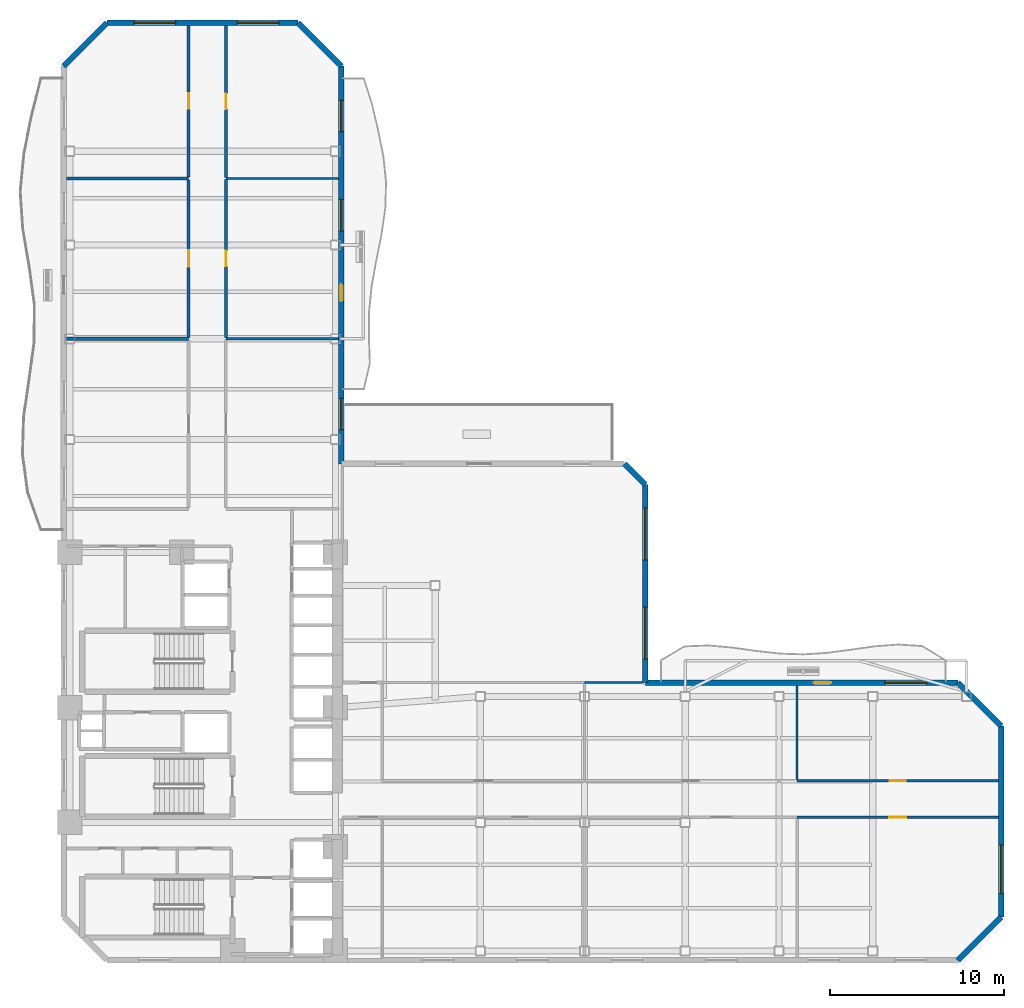
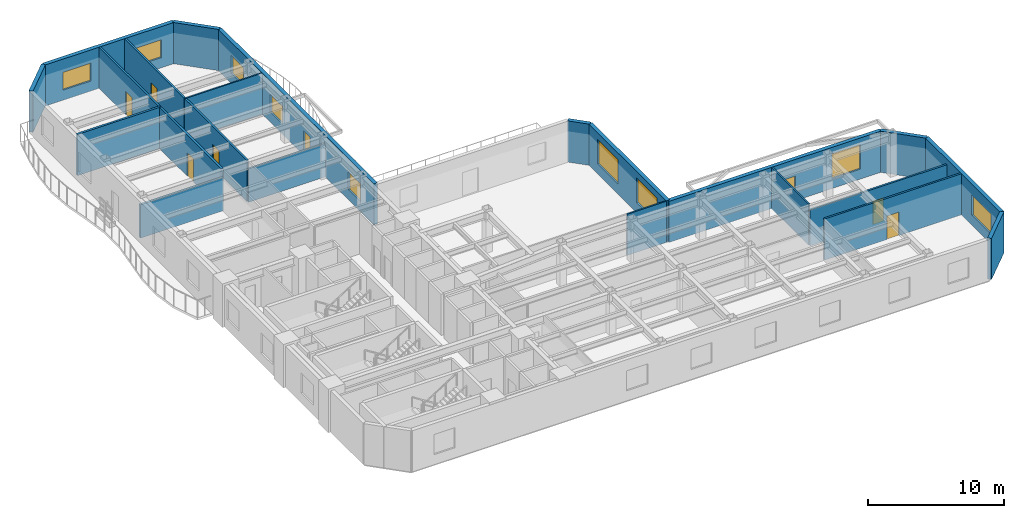
# One storey, part 6 of 10: 22 walls, 9 windows, 8 doors, 17 openings.
"""IFC4 building model written with IfcOpenShell, lengths in metres."""

from ifc_helpers import new_model, si_unit, direction, frame, frame_2d, origin, place, context, subcontext, project, spatial, rectangle, extrude, material, layer, layer_set, type_object, element, fill, save


model = new_model("IFC4")

# Units and contexts
model_context = context("Model", 3, precision=1e-05, world=origin(), true_north=direction((0.0, 1.0)))
body_context = subcontext(model_context, "Body", "Model", "MODEL_VIEW")
ifc_project = project(units=[si_unit("LENGTHUNIT", "METRE"), si_unit("AREAUNIT", "SQUARE_METRE"), si_unit("VOLUMEUNIT", "CUBIC_METRE"), si_unit("PLANEANGLEUNIT", "RADIAN"), si_unit("MASSUNIT", "GRAM", prefix="KILO")], contexts=[model_context])

# Site, building, storey
site_placement = place(None, origin())
site = spatial("IfcSite", under=ifc_project, at=site_placement, CompositionType="ELEMENT")
building_placement = place(site_placement, origin())
building = spatial("IfcBuilding", under=site, at=building_placement, Name="Mawjaban Terraces University", CompositionType="ELEMENT")
storey_placement = place(building_placement, frame((0.0, 0.0, 31.0)))
storey = spatial("IfcBuildingStorey", under=building, at=storey_placement, Name="L06", CompositionType="ELEMENT", Elevation=31.0)

# Walls
ifc_material_1 = material(Name="Acoustic masonry blockwork", Category="masonry")
ifc_layer_1 = layer(ifc_material_1, 0.179931640625)
ifc_layer_set_1 = layer_set([ifc_layer_1], Name="Acoustic masonry blockwork")
wall_type_1 = type_object("IfcWallType", Name="AcousticStudioWall_180", PredefinedType="PARTITIONING", material=ifc_layer_set_1)
wall_1_placement = place(storey_placement, frame((29.199951171875, 35.800048828125, 0.0), z_axis=(0.0, 0.0, 1.0), x_axis=(-1.0, 0.0, 0.0)))
element("IfcWall", 1, at=wall_1_placement, inside=storey, type_object=wall_type_1, Name="L06 Classroom 8 Partition 10", PredefinedType="PARTITIONING", context=body_context, shape_type="SweptSolid", body=[
    extrude(rectangle(XDim=7.044921875, YDim=0.179931640625, at=frame_2d((3.5224609375, 0.0))), origin(), (0.0, 0.0, 1.0), 2.9951171875),
])
wall_2_placement = place(storey_placement, frame((29.199951171875, 45.0400390625, 0.0), z_axis=(0.0, 0.0, 1.0), x_axis=(-1.0, 0.0, 0.0)))
element("IfcWall", 2, at=wall_2_placement, inside=storey, type_object=wall_type_1, Name="L06 Design Studio 10 Partition 11", PredefinedType="PARTITIONING", context=body_context, shape_type="SweptSolid", body=[
    extrude(rectangle(XDim=7.044921875, YDim=0.179931640625, at=frame_2d((3.5224609375, 0.0))), origin(), (0.0, 0.0, 1.0), 3.68994140625),
])

# Wall, opening, door
wall_3_placement = place(storey_placement, frame((29.199951171875, 44.955078125, 0.0), z_axis=(0.0, 0.0, 1.0), x_axis=(0.0, -1.0, 0.0)))
wall_3 = element("IfcWall", 3, at=wall_3_placement, inside=storey, type_object=wall_type_1, Name="L06 North Academic Spine Corridor Partition 34", PredefinedType="PARTITIONING", context=body_context, shape_type="SweptSolid", body=[
    extrude(rectangle(XDim=9.070068359375, YDim=0.179931640625, at=frame_2d((4.53515625, 0.0))), origin(), (0.0, 0.0, 1.0), 3.68994140625),
])
opening_1_placement = place(wall_3_placement, frame((4.06005859375, 0.0, 0.0)))
opening_1 = element("IfcOpeningElement", 4, at=opening_1_placement, cuts=wall_3, Name="Opening ID-095", PredefinedType="OPENING", context=body_context, shape_type="SweptSolid", body=[
    extrude(rectangle(XDim=0.949951171875, YDim=2.10009765625, at=frame_2d((0.47509765625, 1.050048828125))), frame((0.0, 0.099853515625, 0.0), z_axis=(0.0, -1.0, 0.0), x_axis=(1.0, 0.0, 0.0)), (0.0, 0.0, 1.0), 0.199951171875),
])
ifc_material_2 = material(Name="Powder-coated steel frame and solid acoustic timber leaf", Category="steel")
door_type_1 = type_object("IfcDoorType", Name="StudioDoor_950x2100", OperationType="NOTDEFINED", PredefinedType="DOOR", material=ifc_material_2)
door_1_placement = place(opening_1_placement, origin())
door_1 = element("IfcDoor", 5, at=door_1_placement, inside=storey, type_object=door_type_1, Name="L06 Design Studio 10 Door", OperationType="SINGLE_SWING_LEFT", OverallHeight=2.10009765625, OverallWidth=0.949951171875, PredefinedType="DOOR", context=body_context, shape_type="SweptSolid", body=[
    extrude(rectangle(XDim=0.949951171875, YDim=2.10009765625, at=frame_2d((0.47509765625, 1.050048828125))), frame((0.0, 0.02490234375, 0.0), z_axis=(0.0, -1.0, 0.0), x_axis=(1.0, 0.0, 0.0)), (0.0, 0.0, 1.0), 0.050048828125),
])
fill(opening_1, door_1)

ifc_material_3 = material(Name="Fire-rated gypsum board on steel stud", Category="steel")
ifc_layer_2 = layer(ifc_material_3, 0.159912109375)
ifc_layer_set_2 = layer_set([ifc_layer_2], Name="Fire-rated gypsum board on steel stud")
wall_type_2 = type_object("IfcWallType", Name="CorridorPartition_160", PredefinedType="PARTITIONING", material=ifc_layer_set_2)
wall_4_placement = place(storey_placement, frame((64.239990234375, 8.25, 0.0), z_axis=(0.0, 0.0, 1.0), x_axis=(1.0, 0.0, 0.0)))
wall_4 = element("IfcWall", 6, at=wall_4_placement, inside=storey, type_object=wall_type_2, Name="L06 East Academic Spine Corridor Partition 25", PredefinedType="PARTITIONING", context=body_context, shape_type="SweptSolid", body=[
    extrude(rectangle(XDim=11.60498046875, YDim=0.159912109375, at=frame_2d((5.802490234375, 0.0))), origin(), (0.0, 0.0, 1.0), 3.68994140625),
])
opening_2_placement = place(wall_4_placement, frame((5.302978515625, 0.0, 0.0)))
opening_2 = element("IfcOpeningElement", 7, at=opening_2_placement, cuts=wall_4, Name="Opening ID-100", PredefinedType="OPENING", context=body_context, shape_type="SweptSolid", body=[
    extrude(rectangle(XDim=1.0, YDim=2.10009765625, at=frame_2d((0.5, 1.050048828125))), frame((0.0, 0.08984375, 0.0), z_axis=(0.0, -1.0, 0.0), x_axis=(1.0, 0.0, 0.0)), (0.0, 0.0, 1.0), 0.179931640625),
])
door_type_2 = type_object("IfcDoorType", Name="ClassroomDoor_1000x2100", OperationType="NOTDEFINED", PredefinedType="DOOR", material=ifc_material_2)
door_2_placement = place(opening_2_placement, origin())
door_2 = element("IfcDoor", 8, at=door_2_placement, inside=storey, type_object=door_type_2, Name="L06 Classroom 6 Door", OperationType="SINGLE_SWING_LEFT", OverallHeight=2.10009765625, OverallWidth=1.0, PredefinedType="DOOR", context=body_context, shape_type="SweptSolid", body=[
    extrude(rectangle(XDim=1.0, YDim=2.10009765625, at=frame_2d((0.5, 1.050048828125))), frame((0.0, 0.02490234375, 0.0), z_axis=(0.0, -1.0, 0.0), x_axis=(1.0, 0.0, 0.0)), (0.0, 0.0, 1.0), 0.050048828125),
])
fill(opening_2, door_2)

wall_5_placement = place(storey_placement, frame((75.844970703125, 10.35009765625, 0.0), z_axis=(0.0, 0.0, 1.0), x_axis=(-1.0, 0.0, 0.0)))
wall_5 = element("IfcWall", 9, at=wall_5_placement, inside=storey, type_object=wall_type_2, Name="L06 East Academic Spine Corridor Partition 27", PredefinedType="PARTITIONING", context=body_context, shape_type="SweptSolid", body=[
    extrude(rectangle(XDim=11.60498046875, YDim=0.159912109375, at=frame_2d((5.802490234375, 0.0))), origin(), (0.0, 0.0, 1.0), 3.22705078125),
])
opening_3_placement = place(wall_5_placement, frame((5.35302734375, 0.0, 0.0)))
opening_3 = element("IfcOpeningElement", 10, at=opening_3_placement, cuts=wall_5, Name="Opening ID-090", PredefinedType="OPENING", context=body_context, shape_type="SweptSolid", body=[
    extrude(rectangle(XDim=0.89990234375, YDim=2.10009765625, at=frame_2d((0.449951171875, 1.050048828125))), frame((0.0, 0.08984375, 0.0), z_axis=(0.0, -1.0, 0.0), x_axis=(1.0, 0.0, 0.0)), (0.0, 0.0, 1.0), 0.179931640625),
])
door_type_3 = type_object("IfcDoorType", Name="OfficeDoor_900x2100", OperationType="NOTDEFINED", PredefinedType="DOOR", material=ifc_material_2)
door_3_placement = place(opening_3_placement, origin())
door_3 = element("IfcDoor", 11, at=door_3_placement, inside=storey, type_object=door_type_3, Name="L06 Faculty Office 7 Door", OperationType="SINGLE_SWING_RIGHT", OverallHeight=2.10009765625, OverallWidth=0.89990234375, PredefinedType="DOOR", context=body_context, shape_type="SweptSolid", body=[
    extrude(rectangle(XDim=0.89990234375, YDim=2.10009765625, at=frame_2d((0.449951171875, 1.050048828125))), frame((0.0, 0.02490234375, 0.0), z_axis=(0.0, -1.0, 0.0), x_axis=(1.0, 0.0, 0.0)), (0.0, 0.0, 1.0), 0.050048828125),
])
fill(opening_3, door_3)

wall_6_placement = place(storey_placement, frame((29.199951171875, 53.844970703125, 0.0), z_axis=(0.0, 0.0, 1.0), x_axis=(0.0, -1.0, 0.0)))
wall_6 = element("IfcWall", 12, at=wall_6_placement, inside=storey, type_object=wall_type_2, Name="L06 North Academic Spine Corridor Partition 35", PredefinedType="PARTITIONING", context=body_context, shape_type="SweptSolid", body=[
    extrude(rectangle(XDim=8.719970703125, YDim=0.159912109375, at=frame_2d((4.35986328125, 0.0))), origin(), (0.0, 0.0, 1.0), 3.68994140625),
])
opening_4_placement = place(wall_6_placement, frame((3.909912109375, 0.0, 0.0)))
opening_4 = element("IfcOpeningElement", 13, at=opening_4_placement, cuts=wall_6, Name="Opening ID-090", PredefinedType="OPENING", context=body_context, shape_type="SweptSolid", body=[
    extrude(rectangle(XDim=0.89990234375, YDim=2.10009765625, at=frame_2d((0.449951171875, 1.050048828125))), frame((0.0, 0.08984375, 0.0), z_axis=(0.0, -1.0, 0.0), x_axis=(1.0, 0.0, 0.0)), (0.0, 0.0, 1.0), 0.179931640625),
])
door_4_placement = place(opening_4_placement, origin())
door_4 = element("IfcDoor", 14, at=door_4_placement, inside=storey, type_object=door_type_3, Name="L06 Quiet Reading Room 12 Door", OperationType="SINGLE_SWING_LEFT", OverallHeight=2.10009765625, OverallWidth=0.89990234375, PredefinedType="DOOR", context=body_context, shape_type="SweptSolid", body=[
    extrude(rectangle(XDim=0.89990234375, YDim=2.10009765625, at=frame_2d((0.449951171875, 1.050048828125))), frame((0.0, 0.02490234375, 0.0), z_axis=(0.0, -1.0, 0.0), x_axis=(1.0, 0.0, 0.0)), (0.0, 0.0, 1.0), 0.050048828125),
])
fill(opening_4, door_4)

wall_7_placement = place(storey_placement, frame((31.35009765625, 35.866943359375, 0.0), z_axis=(0.0, 0.0, 1.0), x_axis=(0.0, 1.0, 0.0)))
wall_7 = element("IfcWall", 15, at=wall_7_placement, inside=storey, type_object=wall_type_2, Name="L06 North Academic Spine Corridor Partition 37", PredefinedType="PARTITIONING", context=body_context, shape_type="SweptSolid", body=[
    extrude(rectangle(XDim=9.115966796875, YDim=0.159912109375, at=frame_2d((4.55810546875, 0.0))), origin(), (0.0, 0.0, 1.0), 3.68994140625),
])
opening_5_placement = place(wall_7_placement, frame((4.10791015625, 0.0, 0.0)))
opening_5 = element("IfcOpeningElement", 16, at=opening_5_placement, cuts=wall_7, Name="Opening ID-090", PredefinedType="OPENING", context=body_context, shape_type="SweptSolid", body=[
    extrude(rectangle(XDim=0.89990234375, YDim=2.10009765625, at=frame_2d((0.449951171875, 1.050048828125))), frame((0.0, 0.08984375, 0.0), z_axis=(0.0, -1.0, 0.0), x_axis=(1.0, 0.0, 0.0)), (0.0, 0.0, 1.0), 0.179931640625),
])
door_5_placement = place(opening_5_placement, origin())
door_5 = element("IfcDoor", 17, at=door_5_placement, inside=storey, type_object=door_type_3, Name="L06 Faculty Office 11 Door", OperationType="SINGLE_SWING_RIGHT", OverallHeight=2.10009765625, OverallWidth=0.89990234375, PredefinedType="DOOR", context=body_context, shape_type="SweptSolid", body=[
    extrude(rectangle(XDim=0.89990234375, YDim=2.10009765625, at=frame_2d((0.449951171875, 1.050048828125))), frame((0.0, 0.02490234375, 0.0), z_axis=(0.0, -1.0, 0.0), x_axis=(1.0, 0.0, 0.0)), (0.0, 0.0, 1.0), 0.050048828125),
])
fill(opening_5, door_5)

wall_8_placement = place(storey_placement, frame((31.35009765625, 45.096923828125, 0.0), z_axis=(0.0, 0.0, 1.0), x_axis=(0.0, 1.0, 0.0)))
wall_8 = element("IfcWall", 18, at=wall_8_placement, inside=storey, type_object=wall_type_2, Name="L06 North Academic Spine Corridor Partition 38", PredefinedType="PARTITIONING", context=body_context, shape_type="SweptSolid", body=[
    extrude(rectangle(XDim=8.748046875, YDim=0.159912109375, at=frame_2d((4.3740234375, 0.0))), origin(), (0.0, 0.0, 1.0), 3.68994140625),
])
opening_6_placement = place(wall_8_placement, frame((3.924072265625, 0.0, 0.0)))
opening_6 = element("IfcOpeningElement", 19, at=opening_6_placement, cuts=wall_8, Name="Opening ID-090", PredefinedType="OPENING", context=body_context, shape_type="SweptSolid", body=[
    extrude(rectangle(XDim=0.89990234375, YDim=2.10009765625, at=frame_2d((0.449951171875, 1.050048828125))), frame((0.0, 0.08984375, 0.0), z_axis=(0.0, -1.0, 0.0), x_axis=(1.0, 0.0, 0.0)), (0.0, 0.0, 1.0), 0.179931640625),
])
door_6_placement = place(opening_6_placement, origin())
door_6 = element("IfcDoor", 20, at=door_6_placement, inside=storey, type_object=door_type_3, Name="L06 Collaborative Study Room 13 Door", OperationType="SINGLE_SWING_RIGHT", OverallHeight=2.10009765625, OverallWidth=0.89990234375, PredefinedType="DOOR", context=body_context, shape_type="SweptSolid", body=[
    extrude(rectangle(XDim=0.89990234375, YDim=2.10009765625, at=frame_2d((0.449951171875, 1.050048828125))), frame((0.0, 0.02490234375, 0.0), z_axis=(0.0, -1.0, 0.0), x_axis=(1.0, 0.0, 0.0)), (0.0, 0.0, 1.0), 0.050048828125),
])
fill(opening_6, door_6)

# Wall
ifc_material_4 = material(Name="Insulated terracotta rainscreen on concrete backup C40/50", Category="masonry")
ifc_layer_3 = layer(ifc_material_4, 0.320068359375)
ifc_layer_set_3 = layer_set([ifc_layer_3], Name="Insulated terracotta rainscreen on concrete backup C40/50")
wall_type_3 = type_object("IfcWallType", Name="ExtTerracottaWall_320", PredefinedType="SOLIDWALL", material=ifc_layer_set_3)
wall_9_placement = place(storey_placement, frame((73.5, 0.0, 0.0), z_axis=(0.0, 0.0, 1.0), x_axis=(0.707106781187, 0.707106781187, 0.0)))
element("IfcWall", 21, at=wall_9_placement, inside=storey, type_object=wall_type_3, Name="L06 Exterior Terracotta Wall 2", PredefinedType="SOLIDWALL", context=body_context, shape_type="SweptSolid", body=[
    extrude(rectangle(XDim=3.53564453125, YDim=0.320068359375, at=frame_2d((1.767822265625, 0.0))), origin(), (0.0, 0.0, 1.0), 3.68994140625),
])

# Wall, opening, window
wall_10_placement = place(storey_placement, frame((76.0, 2.5, 0.0), z_axis=(0.0, 0.0, 1.0), x_axis=(0.0, 1.0, 0.0)))
wall_10 = element("IfcWall", 22, at=wall_10_placement, inside=storey, type_object=wall_type_3, Name="L06 Exterior Terracotta Wall 3", PredefinedType="SOLIDWALL", context=body_context, shape_type="SweptSolid", body=[
    extrude(rectangle(XDim=11.0, YDim=0.320068359375, at=frame_2d((5.5, 0.0))), origin(), (0.0, 0.0, 1.0), 3.68994140625),
])
opening_7_placement = place(wall_10_placement, frame((1.35009765625, 0.0, 0.89990234375)))
opening_7 = element("IfcOpeningElement", 23, at=opening_7_placement, cuts=wall_10, Name="Opening W-09", PredefinedType="OPENING", context=body_context, shape_type="SweptSolid", body=[
    extrude(rectangle(XDim=2.800048828125, YDim=1.800048828125, at=frame_2d((1.39990234375, 0.89990234375))), frame((0.0, 0.169921875, 0.0), z_axis=(0.0, -1.0, 0.0), x_axis=(1.0, 0.0, 0.0)), (0.0, 0.0, 1.0), 0.340087890625),
])
ifc_material_5 = material(Name="Low-E solar-control double glazing in thermally broken aluminium frame", Category="aluminium")
window_type_1 = type_object("IfcWindowType", Name="Win_2800x1800", PartitioningType="SINGLE_PANEL", PredefinedType="WINDOW", material=ifc_material_5)
window_1_placement = place(opening_7_placement, origin())
window_1 = element("IfcWindow", 24, at=window_1_placement, inside=storey, type_object=window_type_1, Name="L06 Facade Window 3.1", OverallHeight=1.800048828125, OverallWidth=2.800048828125, PartitioningType="SINGLE_PANEL", PredefinedType="WINDOW", context=body_context, shape_type="SweptSolid", body=[
    extrude(rectangle(XDim=2.800048828125, YDim=1.800048828125, at=frame_2d((1.39990234375, 0.89990234375))), frame((0.0, 0.030029296875, 0.0), z_axis=(0.0, -1.0, 0.0), x_axis=(1.0, 0.0, 0.0)), (0.0, 0.0, 1.0), 0.06005859375),
])
fill(opening_7, window_1)

# Wall
wall_11_placement = place(storey_placement, frame((76.0, 13.5, 0.0), z_axis=(0.0, 0.0, 1.0), x_axis=(-0.707106781187, 0.707106781187, 0.0)))
element("IfcWall", 25, at=wall_11_placement, inside=storey, type_object=wall_type_3, Name="L06 Exterior Terracotta Wall 4", PredefinedType="SOLIDWALL", context=body_context, shape_type="SweptSolid", body=[
    extrude(rectangle(XDim=3.53564453125, YDim=0.320068359375, at=frame_2d((1.767822265625, 0.0))), origin(), (0.0, 0.0, 1.0), 3.68994140625),
])

# Wall, openings, door, window
wall_12_placement = place(storey_placement, frame((73.5, 16.0, 0.0), z_axis=(0.0, 0.0, 1.0), x_axis=(-1.0, 0.0, 0.0)))
wall_12 = element("IfcWall", 26, at=wall_12_placement, inside=storey, type_object=wall_type_3, Name="L06 Exterior Terracotta Wall 5", PredefinedType="SOLIDWALL", context=body_context, shape_type="SweptSolid", body=[
    extrude(rectangle(XDim=18.0, YDim=0.320068359375, at=frame_2d((9.0, 0.0))), origin(), (0.0, 0.0, 1.0), 3.68994140625),
])
opening_8_placement = place(wall_12_placement, frame((7.300048828125, 0.0, 0.0)))
opening_8 = element("IfcOpeningElement", 27, at=opening_8_placement, cuts=wall_12, Name="Opening BD-100", PredefinedType="OPENING", context=body_context, shape_type="SweptSolid", body=[
    extrude(rectangle(XDim=1.0, YDim=2.199951171875, at=frame_2d((0.5, 1.10009765625))), frame((0.0, 0.169921875, 0.0), z_axis=(0.0, -1.0, 0.0), x_axis=(1.0, 0.0, 0.0)), (0.0, 0.0, 1.0), 0.340087890625),
])
opening_9_placement = place(wall_12_placement, frame((1.800048828125, 0.0, 0.89990234375)))
opening_9 = element("IfcOpeningElement", 28, at=opening_9_placement, cuts=wall_12, Name="Opening W-11", PredefinedType="OPENING", context=body_context, shape_type="SweptSolid", body=[
    extrude(rectangle(XDim=2.39990234375, YDim=2.199951171875, at=frame_2d((1.199951171875, 1.10009765625))), frame((0.0, 0.169921875, 0.0), z_axis=(0.0, -1.0, 0.0), x_axis=(1.0, 0.0, 0.0)), (0.0, 0.0, 1.0), 0.340087890625),
])
ifc_material_6 = material(Name="Thermally broken anodised aluminium and laminated safety glass", Category="aluminium")
door_type_4 = type_object("IfcDoorType", Name="BalconyGlazedDoor_1000x2200", OperationType="NOTDEFINED", PredefinedType="DOOR", material=ifc_material_6)
door_7_placement = place(opening_8_placement, origin())
door_7 = element("IfcDoor", 29, at=door_7_placement, inside=storey, type_object=door_type_4, Name="L06 Balcony Access Door inner_north", OperationType="SINGLE_SWING_LEFT", OverallHeight=2.199951171875, OverallWidth=1.0, PredefinedType="DOOR", context=body_context, shape_type="SweptSolid", body=[
    extrude(rectangle(XDim=1.0, YDim=2.199951171875, at=frame_2d((0.5, 1.10009765625))), frame((0.0, 0.02490234375, 0.0), z_axis=(0.0, -1.0, 0.0), x_axis=(1.0, 0.0, 0.0)), (0.0, 0.0, 1.0), 0.050048828125),
])
fill(opening_8, door_7)
window_type_2 = type_object("IfcWindowType", Name="Win_2400x2200", PartitioningType="SINGLE_PANEL", PredefinedType="WINDOW", material=ifc_material_5)
window_2_placement = place(opening_9_placement, origin())
window_2 = element("IfcWindow", 30, at=window_2_placement, inside=storey, type_object=window_type_2, Name="L06 Facade Window 5.1", OverallHeight=2.199951171875, OverallWidth=2.39990234375, PartitioningType="SINGLE_PANEL", PredefinedType="WINDOW", context=body_context, shape_type="SweptSolid", body=[
    extrude(rectangle(XDim=2.39990234375, YDim=2.199951171875, at=frame_2d((1.199951171875, 1.10009765625))), frame((0.0, 0.030029296875, 0.0), z_axis=(0.0, -1.0, 0.0), x_axis=(1.0, 0.0, 0.0)), (0.0, 0.0, 1.0), 0.06005859375),
])
fill(opening_9, window_2)

# Wall, openings, windows
wall_13_placement = place(storey_placement, frame((55.5, 16.0, 0.0), z_axis=(0.0, 0.0, 1.0), x_axis=(0.0, 1.0, 0.0)))
wall_13 = element("IfcWall", 31, at=wall_13_placement, inside=storey, type_object=wall_type_3, Name="L06 Exterior Terracotta Wall 6", PredefinedType="SOLIDWALL", context=body_context, shape_type="SweptSolid", body=[
    extrude(rectangle(XDim=11.39990234375, YDim=0.320068359375, at=frame_2d((5.699951171875, 0.0))), origin(), (0.0, 0.0, 1.0), 3.68994140625),
])
opening_10_placement = place(wall_13_placement, frame((1.35009765625, 0.0, 0.89990234375)))
opening_10 = element("IfcOpeningElement", 32, at=opening_10_placement, cuts=wall_13, Name="Opening W-12", PredefinedType="OPENING", context=body_context, shape_type="SweptSolid", body=[
    extrude(rectangle(XDim=3.0, YDim=2.199951171875, at=frame_2d((1.5, 1.10009765625))), frame((0.0, 0.169921875, 0.0), z_axis=(0.0, -1.0, 0.0), x_axis=(1.0, 0.0, 0.0)), (0.0, 0.0, 1.0), 0.340087890625),
])
opening_11_placement = place(wall_13_placement, frame((7.050048828125, 0.0, 0.89990234375)))
opening_11 = element("IfcOpeningElement", 33, at=opening_11_placement, cuts=wall_13, Name="Opening W-12", PredefinedType="OPENING", context=body_context, shape_type="SweptSolid", body=[
    extrude(rectangle(XDim=3.0, YDim=2.199951171875, at=frame_2d((1.5, 1.10009765625))), frame((0.0, 0.169921875, 0.0), z_axis=(0.0, -1.0, 0.0), x_axis=(1.0, 0.0, 0.0)), (0.0, 0.0, 1.0), 0.340087890625),
])
window_type_3 = type_object("IfcWindowType", Name="Win_3000x2200", PartitioningType="SINGLE_PANEL", PredefinedType="WINDOW", material=ifc_material_5)
window_3_placement = place(opening_10_placement, origin())
window_3 = element("IfcWindow", 34, at=window_3_placement, inside=storey, type_object=window_type_3, Name="L06 Facade Window 6.1", OverallHeight=2.199951171875, OverallWidth=3.0, PartitioningType="SINGLE_PANEL", PredefinedType="WINDOW", context=body_context, shape_type="SweptSolid", body=[
    extrude(rectangle(XDim=3.0, YDim=2.199951171875, at=frame_2d((1.5, 1.10009765625))), frame((0.0, 0.030029296875, 0.0), z_axis=(0.0, -1.0, 0.0), x_axis=(1.0, 0.0, 0.0)), (0.0, 0.0, 1.0), 0.06005859375),
])
fill(opening_10, window_3)
window_4_placement = place(opening_11_placement, origin())
window_4 = element("IfcWindow", 35, at=window_4_placement, inside=storey, type_object=window_type_3, Name="L06 Facade Window 6.2", OverallHeight=2.199951171875, OverallWidth=3.0, PartitioningType="SINGLE_PANEL", PredefinedType="WINDOW", context=body_context, shape_type="SweptSolid", body=[
    extrude(rectangle(XDim=3.0, YDim=2.199951171875, at=frame_2d((1.5, 1.10009765625))), frame((0.0, 0.030029296875, 0.0), z_axis=(0.0, -1.0, 0.0), x_axis=(1.0, 0.0, 0.0)), (0.0, 0.0, 1.0), 0.06005859375),
])
fill(opening_11, window_4)

# Wall
wall_14_placement = place(storey_placement, frame((55.5, 27.39990234375, 0.0), z_axis=(0.0, 0.0, 1.0), x_axis=(-0.707034851297, 0.707178703759, 0.0)))
element("IfcWall", 36, at=wall_14_placement, inside=storey, type_object=wall_type_3, Name="L06 Exterior Terracotta Wall 7", PredefinedType="SOLIDWALL", context=body_context, shape_type="SweptSolid", body=[
    extrude(rectangle(XDim=1.697265625, YDim=0.320068359375, at=frame_2d((0.8486328125, 0.0))), origin(), (0.0, 0.0, 1.0), 3.68994140625),
])

# Wall, openings, door, windows
wall_15_placement = place(storey_placement, frame((38.0, 28.60009765625, 0.0), z_axis=(0.0, 0.0, 1.0), x_axis=(0.0, 1.0, 0.0)))
wall_15 = element("IfcWall", 37, at=wall_15_placement, inside=storey, type_object=wall_type_3, Name="L06 Exterior Terracotta Wall 9", PredefinedType="SOLIDWALL", context=body_context, shape_type="SweptSolid", body=[
    extrude(rectangle(XDim=22.89990234375, YDim=0.320068359375, at=frame_2d((11.449951171875, 0.0))), origin(), (0.0, 0.0, 1.0), 3.68994140625),
])
opening_12_placement = place(wall_15_placement, frame((9.35009765625, 0.0, 0.0)))
opening_12 = element("IfcOpeningElement", 38, at=opening_12_placement, cuts=wall_15, Name="Opening BD-100", PredefinedType="OPENING", context=body_context, shape_type="SweptSolid", body=[
    extrude(rectangle(XDim=1.0, YDim=2.199951171875, at=frame_2d((0.5, 1.10009765625))), frame((0.0, 0.169921875, 0.0), z_axis=(0.0, -1.0, 0.0), x_axis=(1.0, 0.0, 0.0)), (0.0, 0.0, 1.0), 0.340087890625),
])
opening_13_placement = place(wall_15_placement, frame((1.9619140625, 0.0, 0.89990234375)))
opening_13 = element("IfcOpeningElement", 39, at=opening_13_placement, cuts=wall_15, Name="Opening W-03", PredefinedType="OPENING", context=body_context, shape_type="SweptSolid", body=[
    extrude(rectangle(XDim=1.800048828125, YDim=1.60009765625, at=frame_2d((0.89990234375, 0.800048828125))), frame((0.0, 0.169921875, 0.0), z_axis=(0.0, -1.0, 0.0), x_axis=(1.0, 0.0, 0.0)), (0.0, 0.0, 1.0), 0.340087890625),
])
opening_14_placement = place(wall_15_placement, frame((13.412109375, 0.0, 0.89990234375)))
opening_14 = element("IfcOpeningElement", 40, at=opening_14_placement, cuts=wall_15, Name="Opening W-03", PredefinedType="OPENING", context=body_context, shape_type="SweptSolid", body=[
    extrude(rectangle(XDim=1.800048828125, YDim=1.60009765625, at=frame_2d((0.89990234375, 0.800048828125))), frame((0.0, 0.169921875, 0.0), z_axis=(0.0, -1.0, 0.0), x_axis=(1.0, 0.0, 0.0)), (0.0, 0.0, 1.0), 0.340087890625),
])
opening_15_placement = place(wall_15_placement, frame((19.136962890625, 0.0, 0.89990234375)))
opening_15 = element("IfcOpeningElement", 41, at=opening_15_placement, cuts=wall_15, Name="Opening W-03", PredefinedType="OPENING", context=body_context, shape_type="SweptSolid", body=[
    extrude(rectangle(XDim=1.800048828125, YDim=1.60009765625, at=frame_2d((0.89990234375, 0.800048828125))), frame((0.0, 0.169921875, 0.0), z_axis=(0.0, -1.0, 0.0), x_axis=(1.0, 0.0, 0.0)), (0.0, 0.0, 1.0), 0.340087890625),
])
door_8_placement = place(opening_12_placement, origin())
door_8 = element("IfcDoor", 42, at=door_8_placement, inside=storey, type_object=door_type_4, Name="L06 Balcony Access Door inner_east", OperationType="SINGLE_SWING_LEFT", OverallHeight=2.199951171875, OverallWidth=1.0, PredefinedType="DOOR", context=body_context, shape_type="SweptSolid", body=[
    extrude(rectangle(XDim=1.0, YDim=2.199951171875, at=frame_2d((0.5, 1.10009765625))), frame((0.0, 0.02490234375, 0.0), z_axis=(0.0, -1.0, 0.0), x_axis=(1.0, 0.0, 0.0)), (0.0, 0.0, 1.0), 0.050048828125),
])
fill(opening_12, door_8)
window_type_4 = type_object("IfcWindowType", Name="Win_1800x1600", PartitioningType="SINGLE_PANEL", PredefinedType="WINDOW", material=ifc_material_5)
window_5_placement = place(opening_13_placement, origin())
window_5 = element("IfcWindow", 43, at=window_5_placement, inside=storey, type_object=window_type_4, Name="L06 Facade Window 9.1", OverallHeight=1.60009765625, OverallWidth=1.800048828125, PartitioningType="SINGLE_PANEL", PredefinedType="WINDOW", context=body_context, shape_type="SweptSolid", body=[
    extrude(rectangle(XDim=1.800048828125, YDim=1.60009765625, at=frame_2d((0.89990234375, 0.800048828125))), frame((0.0, 0.030029296875, 0.0), z_axis=(0.0, -1.0, 0.0), x_axis=(1.0, 0.0, 0.0)), (0.0, 0.0, 1.0), 0.06005859375),
])
fill(opening_13, window_5)
window_6_placement = place(opening_14_placement, origin())
window_6 = element("IfcWindow", 44, at=window_6_placement, inside=storey, type_object=window_type_4, Name="L06 Facade Window 9.3", OverallHeight=1.60009765625, OverallWidth=1.800048828125, PartitioningType="SINGLE_PANEL", PredefinedType="WINDOW", context=body_context, shape_type="SweptSolid", body=[
    extrude(rectangle(XDim=1.800048828125, YDim=1.60009765625, at=frame_2d((0.89990234375, 0.800048828125))), frame((0.0, 0.030029296875, 0.0), z_axis=(0.0, -1.0, 0.0), x_axis=(1.0, 0.0, 0.0)), (0.0, 0.0, 1.0), 0.06005859375),
])
fill(opening_14, window_6)
window_7_placement = place(opening_15_placement, origin())
window_7 = element("IfcWindow", 45, at=window_7_placement, inside=storey, type_object=window_type_4, Name="L06 Facade Window 9.4", OverallHeight=1.60009765625, OverallWidth=1.800048828125, PartitioningType="SINGLE_PANEL", PredefinedType="WINDOW", context=body_context, shape_type="SweptSolid", body=[
    extrude(rectangle(XDim=1.800048828125, YDim=1.60009765625, at=frame_2d((0.89990234375, 0.800048828125))), frame((0.0, 0.030029296875, 0.0), z_axis=(0.0, -1.0, 0.0), x_axis=(1.0, 0.0, 0.0)), (0.0, 0.0, 1.0), 0.06005859375),
])
fill(opening_15, window_7)

# Wall
wall_16_placement = place(storey_placement, frame((38.0, 51.5, 0.0), z_axis=(0.0, 0.0, 1.0), x_axis=(-0.707106781187, 0.707106781187, 0.0)))
element("IfcWall", 46, at=wall_16_placement, inside=storey, type_object=wall_type_3, Name="L06 Exterior Terracotta Wall 10", PredefinedType="SOLIDWALL", context=body_context, shape_type="SweptSolid", body=[
    extrude(rectangle(XDim=3.53564453125, YDim=0.320068359375, at=frame_2d((1.767822265625, 0.0))), origin(), (0.0, 0.0, 1.0), 3.68994140625),
])

# Wall, openings, windows
wall_17_placement = place(storey_placement, frame((35.5, 54.0, 0.0), z_axis=(0.0, 0.0, 1.0), x_axis=(-1.0, 0.0, 0.0)))
wall_17 = element("IfcWall", 47, at=wall_17_placement, inside=storey, type_object=wall_type_3, Name="L06 Exterior Terracotta Wall 11", PredefinedType="SOLIDWALL", context=body_context, shape_type="SweptSolid", body=[
    extrude(rectangle(XDim=11.0, YDim=0.320068359375, at=frame_2d((5.5, 0.0))), origin(), (0.0, 0.0, 1.0), 3.68994140625),
])
opening_16_placement = place(wall_17_placement, frame((1.10009765625, 0.0, 0.89990234375)))
opening_16 = element("IfcOpeningElement", 48, at=opening_16_placement, cuts=wall_17, Name="Opening W-05", PredefinedType="OPENING", context=body_context, shape_type="SweptSolid", body=[
    extrude(rectangle(XDim=2.39990234375, YDim=1.60009765625, at=frame_2d((1.199951171875, 0.800048828125))), frame((0.0, 0.169921875, 0.0), z_axis=(0.0, -1.0, 0.0), x_axis=(1.0, 0.0, 0.0)), (0.0, 0.0, 1.0), 0.340087890625),
])
opening_17_placement = place(wall_17_placement, frame((7.050048828125, 0.0, 0.89990234375)))
opening_17 = element("IfcOpeningElement", 49, at=opening_17_placement, cuts=wall_17, Name="Opening W-05", PredefinedType="OPENING", context=body_context, shape_type="SweptSolid", body=[
    extrude(rectangle(XDim=2.39990234375, YDim=1.60009765625, at=frame_2d((1.199951171875, 0.800048828125))), frame((0.0, 0.169921875, 0.0), z_axis=(0.0, -1.0, 0.0), x_axis=(1.0, 0.0, 0.0)), (0.0, 0.0, 1.0), 0.340087890625),
])
window_type_5 = type_object("IfcWindowType", Name="Win_2400x1600", PartitioningType="SINGLE_PANEL", PredefinedType="WINDOW", material=ifc_material_5)
window_8_placement = place(opening_16_placement, origin())
window_8 = element("IfcWindow", 50, at=window_8_placement, inside=storey, type_object=window_type_5, Name="L06 Facade Window 11.1", OverallHeight=1.60009765625, OverallWidth=2.39990234375, PartitioningType="SINGLE_PANEL", PredefinedType="WINDOW", context=body_context, shape_type="SweptSolid", body=[
    extrude(rectangle(XDim=2.39990234375, YDim=1.60009765625, at=frame_2d((1.199951171875, 0.800048828125))), frame((0.0, 0.030029296875, 0.0), z_axis=(0.0, -1.0, 0.0), x_axis=(1.0, 0.0, 0.0)), (0.0, 0.0, 1.0), 0.06005859375),
])
fill(opening_16, window_8)
window_9_placement = place(opening_17_placement, origin())
window_9 = element("IfcWindow", 51, at=window_9_placement, inside=storey, type_object=window_type_5, Name="L06 Facade Window 11.2", OverallHeight=1.60009765625, OverallWidth=2.39990234375, PartitioningType="SINGLE_PANEL", PredefinedType="WINDOW", context=body_context, shape_type="SweptSolid", body=[
    extrude(rectangle(XDim=2.39990234375, YDim=1.60009765625, at=frame_2d((1.199951171875, 0.800048828125))), frame((0.0, 0.030029296875, 0.0), z_axis=(0.0, -1.0, 0.0), x_axis=(1.0, 0.0, 0.0)), (0.0, 0.0, 1.0), 0.06005859375),
])
fill(opening_17, window_9)

# Walls
wall_18_placement = place(storey_placement, frame((24.5, 54.0, 0.0), z_axis=(0.0, 0.0, 1.0), x_axis=(-0.707106781187, -0.707106781187, 0.0)))
element("IfcWall", 52, at=wall_18_placement, inside=storey, type_object=wall_type_3, Name="L06 Exterior Terracotta Wall 12", PredefinedType="SOLIDWALL", context=body_context, shape_type="SweptSolid", body=[
    extrude(rectangle(XDim=3.53564453125, YDim=0.320068359375, at=frame_2d((1.767822265625, 0.0))), origin(), (0.0, 0.0, 1.0), 3.68994140625),
])
ifc_material_7 = material(Name="Moisture-resistant gypsum board on steel stud", Category="steel")
ifc_layer_4 = layer(ifc_material_7, 0.14501953125)
ifc_layer_set_4 = layer_set([ifc_layer_4], Name="Moisture-resistant gypsum board on steel stud")
wall_type_4 = type_object("IfcWallType", Name="LabPartition_145", PredefinedType="PARTITIONING", material=ifc_layer_set_4)
wall_19_placement = place(storey_placement, frame((37.844970703125, 35.800048828125, 0.0), z_axis=(0.0, 0.0, 1.0), x_axis=(-1.0, 0.0, 0.0)))
element("IfcWall", 53, at=wall_19_placement, inside=storey, type_object=wall_type_4, Name="L06 Computational Laboratory 9 Partition 16", PredefinedType="PARTITIONING", context=body_context, shape_type="SweptSolid", body=[
    extrude(rectangle(XDim=6.494873046875, YDim=0.14501953125, at=frame_2d((3.24755859375, 0.0))), origin(), (0.0, 0.0, 1.0), 2.9951171875),
])
ifc_material_8 = material(Name="Gypsum plasterboard on steel stud", Category="steel")
ifc_layer_5 = layer(ifc_material_8, 0.125)
ifc_layer_set_5 = layer_set([ifc_layer_5], Name="Gypsum plasterboard on steel stud")
wall_type_5 = type_object("IfcWallType", Name="OfficePartition_125", PredefinedType="PARTITIONING", material=ifc_layer_set_5)
wall_20_placement = place(storey_placement, frame((37.844970703125, 45.0400390625, 0.0), z_axis=(0.0, 0.0, 1.0), x_axis=(-1.0, 0.0, 0.0)))
element("IfcWall", 54, at=wall_20_placement, inside=storey, type_object=wall_type_5, Name="L06 Faculty Office 11 Partition 17", PredefinedType="PARTITIONING", context=body_context, shape_type="SweptSolid", body=[
    extrude(rectangle(XDim=6.494873046875, YDim=0.125, at=frame_2d((3.24755859375, 0.0))), origin(), (0.0, 0.0, 1.0), 3.68994140625),
])
wall_21_placement = place(storey_placement, frame((52.0, 16.0, 0.0), z_axis=(0.0, 0.0, 1.0), x_axis=(1.0, 0.0, 0.0)))
element("IfcWall", 55, at=wall_21_placement, inside=storey, type_object=wall_type_5, Name="L06 Terrace Collaborative Study Room Partition 23", PredefinedType="PARTITIONING", context=body_context, shape_type="SweptSolid", body=[
    extrude(rectangle(XDim=3.344970703125, YDim=0.125, at=frame_2d((1.67236328125, 0.0))), origin(), (0.0, 0.0, 1.0), 3.68994140625),
])
wall_22_placement = place(storey_placement, frame((64.239990234375, 10.425048828125, 0.0), z_axis=(0.0, 0.0, 1.0), x_axis=(0.0, 1.0, 0.0)))
element("IfcWall", 56, at=wall_22_placement, inside=storey, type_object=wall_type_5, Name="L06 Seminar Room 5 Partition 49", PredefinedType="PARTITIONING", context=body_context, shape_type="SweptSolid", body=[
    extrude(rectangle(XDim=5.419921875, YDim=0.125, at=frame_2d((2.7099609375, 0.0))), origin(), (0.0, 0.0, 1.0), 3.68994140625),
])

save(model, "model.ifc")
